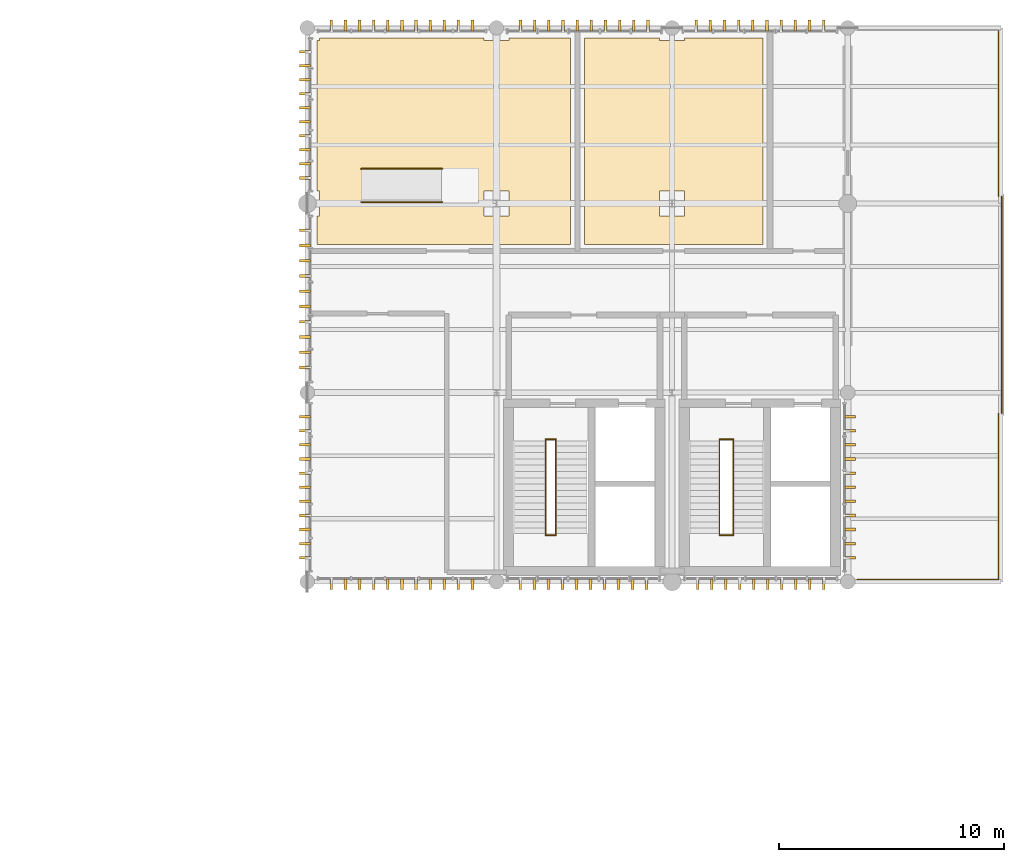
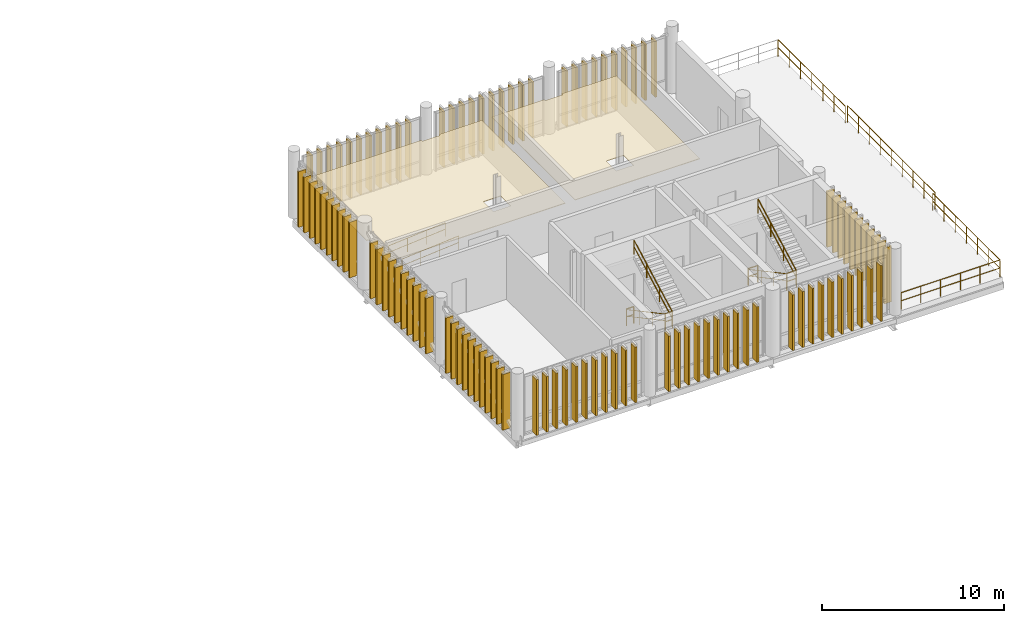
# One storey, part 18 of 19: 106 coverings, 14 railings.
"""IFC4 building model written with IfcOpenShell, lengths in metres."""

from ifc_helpers import new_model, si_unit, direction, frame, frame_2d, origin_with_axes, origin_2d_with_axis, place, context, subcontext, project, spatial, polyline, rectangle, circle, outline, extrude, material, type_object, element, save


model = new_model("IFC4")

# Units and contexts
model_context = context("Model", 3, precision=1e-05, world=origin_with_axes(), true_north=direction((0.0, 1.0)))
body_context = subcontext(model_context, "Body", "Model", "MODEL_VIEW")
ifc_project = project(units=[si_unit("LENGTHUNIT", "METRE"), si_unit("AREAUNIT", "SQUARE_METRE"), si_unit("VOLUMEUNIT", "CUBIC_METRE"), si_unit("PLANEANGLEUNIT", "RADIAN"), si_unit("MASSUNIT", "GRAM", prefix="KILO"), si_unit("THERMODYNAMICTEMPERATUREUNIT", "KELVIN")], contexts=[model_context])

# Site, building, storey
site_placement = place(None, origin_with_axes())
site = spatial("IfcSite", under=ifc_project, at=site_placement, CompositionType="ELEMENT")
building_placement = place(site_placement, origin_with_axes())
building = spatial("IfcBuilding", under=site, at=building_placement, Name="Montbau Bow Law Courts", CompositionType="ELEMENT")
storey_placement = place(building_placement, frame((0.0, 0.0, 43.5), z_axis=(0.0, 0.0, 1.0), x_axis=(1.0, 0.0, 0.0)))
storey = spatial("IfcBuildingStorey", under=building, at=storey_placement, Name="L09", CompositionType="ELEMENT", Elevation=43.5)

# Coverings
ifc_material_1 = material(Name="Micro-Perforated White-Oak Acoustic Courtroom Ceiling", Category="wood")
covering_type_1 = type_object("IfcCoveringType", Name="CV-CLG-01", PredefinedType="CEILING", material=ifc_material_1)
covering_1_placement = place(None, frame((0.0, 0.0, 46.04), z_axis=(0.0, 0.0, 1.0), x_axis=(1.0, 0.0, 0.0)))
element("IfcCovering", 1, at=covering_1_placement, inside=storey, type_object=covering_type_1, Name="CLG-L09-06:cov_3548", PredefinedType="CEILING", context=body_context, shape_type="SweptSolid", body=[
    extrude(outline(polyline([(146.45, 110.56), (146.45, 110.45), (147.55, 110.45), (147.55, 110.56), (150.29, 110.56), (150.29, 101.38), (139.04, 101.38), (139.04, 102.65), (139.15, 102.65), (139.15, 103.75), (139.04, 103.75), (139.04, 110.45), (139.15, 110.45), (139.15, 110.56), (146.45, 110.56)]), holes=[polyline([(147.55, 103.75), (146.45, 103.75), (146.45, 102.65), (147.55, 102.65), (147.55, 103.75)])]), origin_with_axes(), (0.0, 0.0, 1.0), 0.04),
])
ifc_material_2 = material(Name="Mineral-Fibre Acoustic Lay-In Tile Ceiling", Category="gypsum")
covering_type_2 = type_object("IfcCoveringType", Name="CV-CLG-02", PredefinedType="CEILING", material=ifc_material_2)
covering_2_placement = place(None, frame((0.0, 0.0, 46.04), z_axis=(0.0, 0.0, 1.0), x_axis=(1.0, 0.0, 0.0)))
element("IfcCovering", 2, at=covering_2_placement, inside=storey, type_object=covering_type_2, Name="CLG-L09-07:cov_3549", PredefinedType="CEILING", context=body_context, shape_type="SweptSolid", body=[
    extrude(outline(polyline([(154.25, 110.56), (154.25, 110.45), (155.35, 110.45), (155.35, 110.56), (158.83, 110.56), (158.83, 101.38), (150.91, 101.38), (150.91, 110.56), (154.25, 110.56)]), holes=[polyline([(155.35, 103.75), (154.25, 103.75), (154.25, 102.65), (155.35, 102.65), (155.35, 103.75)])]), origin_with_axes(), (0.0, 0.0, 1.0), 0.04),
])
ifc_material_3 = material(Name="Freeze-Thaw Glazed Slate-Grey Ceramic Vertical Louvre", Category="masonry")
covering_type_3 = type_object("IfcCoveringType", Name="CV-LVR-SLT", PredefinedType="CLADDING", material=ifc_material_3)
for number, where, z_axis, x_axis, name in (
    (3, (139.667, 86.53, 43.5), (-1.0, 0.0, 0.0), (0.0, -1.0, 0.0), "CLV-L09-3370:cov_3415"),
    (4, (140.293, 86.53, 43.5), (-1.0, 0.0, 0.0), (0.0, -1.0, 0.0), "CLV-L09-3371:cov_3416"),
    (5, (140.92, 86.53, 43.5), (-1.0, 0.0, 0.0), (0.0, -1.0, 0.0), "CLV-L09-3372:cov_3417"),
    (6, (141.547, 86.53, 43.5), (-1.0, 0.0, 0.0), (0.0, -1.0, 0.0), "CLV-L09-3373:cov_3418"),
    (7, (142.173, 86.53, 43.5), (-1.0, 0.0, 0.0), (0.0, -1.0, 0.0), "CLV-L09-3374:cov_3419"),
    (8, (142.8, 86.53, 43.5), (-1.0, 0.0, 0.0), (0.0, -1.0, 0.0), "CLV-L09-3375:cov_3420"),
    (9, (143.427, 86.53, 43.5), (-1.0, 0.0, 0.0), (0.0, -1.0, 0.0), "CLV-L09-3376:cov_3421"),
    (10, (144.053, 86.53, 43.5), (-1.0, 0.0, 0.0), (0.0, -1.0, 0.0), "CLV-L09-3377:cov_3422"),
    (11, (144.68, 86.53, 43.5), (-1.0, 0.0, 0.0), (0.0, -1.0, 0.0), "CLV-L09-3378:cov_3423"),
    (12, (145.307, 86.53, 43.5), (-1.0, 0.0, 0.0), (0.0, -1.0, 0.0), "CLV-L09-3379:cov_3424"),
    (13, (145.933, 86.53, 43.5), (-1.0, 0.0, 0.0), (0.0, -1.0, 0.0), "CLV-L09-3380:cov_3425"),
    (14, (148.062, 86.53, 43.5), (-1.0, 0.0, 0.0), (0.0, -1.0, 0.0), "CLV-L09-3381:cov_3426"),
    (15, (148.685, 86.53, 43.5), (-1.0, 0.0, 0.0), (0.0, -1.0, 0.0), "CLV-L09-3382:cov_3427"),
    (16, (149.307, 86.53, 43.5), (-1.0, 0.0, 0.0), (0.0, -1.0, 0.0), "CLV-L09-3383:cov_3428"),
    (17, (149.929, 86.53, 43.5), (-1.0, 0.0, 0.0), (0.0, -1.0, 0.0), "CLV-L09-3384:cov_3429"),
    (18, (150.551, 86.53, 43.5), (-1.0, 0.0, 0.0), (0.0, -1.0, 0.0), "CLV-L09-3385:cov_3430"),
    (19, (151.174, 86.53, 43.5), (-1.0, 0.0, 0.0), (0.0, -1.0, 0.0), "CLV-L09-3386:cov_3431"),
    (20, (151.796, 86.53, 43.5), (-1.0, 0.0, 0.0), (0.0, -1.0, 0.0), "CLV-L09-3387:cov_3432"),
    (21, (152.418, 86.53, 43.5), (-1.0, 0.0, 0.0), (0.0, -1.0, 0.0), "CLV-L09-3388:cov_3433"),
    (22, (153.04, 86.53, 43.5), (-1.0, 0.0, 0.0), (0.0, -1.0, 0.0), "CLV-L09-3389:cov_3434"),
    (23, (153.663, 86.53, 43.5), (-1.0, 0.0, 0.0), (0.0, -1.0, 0.0), "CLV-L09-3390:cov_3435"),
    (24, (155.937, 86.53, 43.5), (-1.0, 0.0, 0.0), (0.0, -1.0, 0.0), "CLV-L09-3391:cov_3436"),
    (25, (156.56, 86.53, 43.5), (-1.0, 0.0, 0.0), (0.0, -1.0, 0.0), "CLV-L09-3392:cov_3437"),
    (26, (157.182, 86.53, 43.5), (-1.0, 0.0, 0.0), (0.0, -1.0, 0.0), "CLV-L09-3393:cov_3438"),
    (27, (157.804, 86.53, 43.5), (-1.0, 0.0, 0.0), (0.0, -1.0, 0.0), "CLV-L09-3394:cov_3439"),
    (28, (158.426, 86.53, 43.5), (-1.0, 0.0, 0.0), (0.0, -1.0, 0.0), "CLV-L09-3395:cov_3440"),
    (29, (159.049, 86.53, 43.5), (-1.0, 0.0, 0.0), (0.0, -1.0, 0.0), "CLV-L09-3396:cov_3441"),
    (30, (159.671, 86.53, 43.5), (-1.0, 0.0, 0.0), (0.0, -1.0, 0.0), "CLV-L09-3397:cov_3442"),
    (31, (160.293, 86.53, 43.5), (-1.0, 0.0, 0.0), (0.0, -1.0, 0.0), "CLV-L09-3398:cov_3443"),
    (32, (160.915, 86.53, 43.5), (-1.0, 0.0, 0.0), (0.0, -1.0, 0.0), "CLV-L09-3399:cov_3444"),
    (33, (161.538, 86.53, 43.5), (-1.0, 0.0, 0.0), (0.0, -1.0, 0.0), "CLV-L09-3400:cov_3445"),
    (34, (139.667, 110.87, 43.5), (1.0, 0.0, 0.0), (0.0, 1.0, 0.0), "CLV-L09-3401:cov_3446"),
    (35, (140.293, 110.87, 43.5), (1.0, 0.0, 0.0), (0.0, 1.0, 0.0), "CLV-L09-3402:cov_3447"),
    (36, (140.92, 110.87, 43.5), (1.0, 0.0, 0.0), (0.0, 1.0, 0.0), "CLV-L09-3403:cov_3448"),
    (37, (141.547, 110.87, 43.5), (1.0, 0.0, 0.0), (0.0, 1.0, 0.0), "CLV-L09-3404:cov_3449"),
    (38, (142.173, 110.87, 43.5), (1.0, 0.0, 0.0), (0.0, 1.0, 0.0), "CLV-L09-3405:cov_3450"),
    (39, (142.8, 110.87, 43.5), (1.0, 0.0, 0.0), (0.0, 1.0, 0.0), "CLV-L09-3406:cov_3451"),
    (40, (143.427, 110.87, 43.5), (1.0, 0.0, 0.0), (0.0, 1.0, 0.0), "CLV-L09-3407:cov_3452"),
    (41, (144.053, 110.87, 43.5), (1.0, 0.0, 0.0), (0.0, 1.0, 0.0), "CLV-L09-3408:cov_3453"),
    (42, (144.68, 110.87, 43.5), (1.0, 0.0, 0.0), (0.0, 1.0, 0.0), "CLV-L09-3409:cov_3454"),
    (43, (145.307, 110.87, 43.5), (1.0, 0.0, 0.0), (0.0, 1.0, 0.0), "CLV-L09-3410:cov_3455"),
    (44, (145.933, 110.87, 43.5), (1.0, 0.0, 0.0), (0.0, 1.0, 0.0), "CLV-L09-3411:cov_3456"),
    (45, (148.069, 110.87, 43.5), (1.0, 0.0, 0.0), (0.0, 1.0, 0.0), "CLV-L09-3412:cov_3457"),
    (46, (148.698, 110.87, 43.5), (1.0, 0.0, 0.0), (0.0, 1.0, 0.0), "CLV-L09-3413:cov_3458"),
    (47, (149.327, 110.87, 43.5), (1.0, 0.0, 0.0), (0.0, 1.0, 0.0), "CLV-L09-3414:cov_3459"),
    (48, (149.956, 110.87, 43.5), (1.0, 0.0, 0.0), (0.0, 1.0, 0.0), "CLV-L09-3415:cov_3460"),
    (49, (150.585, 110.87, 43.5), (1.0, 0.0, 0.0), (0.0, 1.0, 0.0), "CLV-L09-3416:cov_3461"),
    (50, (151.215, 110.87, 43.5), (1.0, 0.0, 0.0), (0.0, 1.0, 0.0), "CLV-L09-3417:cov_3462"),
    (51, (151.844, 110.87, 43.5), (1.0, 0.0, 0.0), (0.0, 1.0, 0.0), "CLV-L09-3418:cov_3463"),
    (52, (152.473, 110.87, 43.5), (1.0, 0.0, 0.0), (0.0, 1.0, 0.0), "CLV-L09-3419:cov_3464"),
    (53, (153.102, 110.87, 43.5), (1.0, 0.0, 0.0), (0.0, 1.0, 0.0), "CLV-L09-3420:cov_3465"),
    (54, (153.731, 110.87, 43.5), (1.0, 0.0, 0.0), (0.0, 1.0, 0.0), "CLV-L09-3421:cov_3466"),
    (55, (155.869, 110.87, 43.5), (1.0, 0.0, 0.0), (0.0, 1.0, 0.0), "CLV-L09-3422:cov_3467"),
    (56, (156.498, 110.87, 43.5), (1.0, 0.0, 0.0), (0.0, 1.0, 0.0), "CLV-L09-3423:cov_3468"),
    (57, (157.127, 110.87, 43.5), (1.0, 0.0, 0.0), (0.0, 1.0, 0.0), "CLV-L09-3424:cov_3469"),
    (58, (157.756, 110.87, 43.5), (1.0, 0.0, 0.0), (0.0, 1.0, 0.0), "CLV-L09-3425:cov_3470"),
    (59, (158.385, 110.87, 43.5), (1.0, 0.0, 0.0), (0.0, 1.0, 0.0), "CLV-L09-3426:cov_3471"),
    (60, (159.015, 110.87, 43.5), (1.0, 0.0, 0.0), (0.0, 1.0, 0.0), "CLV-L09-3427:cov_3472"),
    (61, (159.644, 110.87, 43.5), (1.0, 0.0, 0.0), (0.0, 1.0, 0.0), "CLV-L09-3428:cov_3473"),
    (62, (160.273, 110.87, 43.5), (1.0, 0.0, 0.0), (0.0, 1.0, 0.0), "CLV-L09-3429:cov_3474"),
    (63, (160.902, 110.87, 43.5), (1.0, 0.0, 0.0), (0.0, 1.0, 0.0), "CLV-L09-3430:cov_3475"),
    (64, (161.531, 110.87, 43.5), (1.0, 0.0, 0.0), (0.0, 1.0, 0.0), "CLV-L09-3431:cov_3476"),
    (65, (138.73, 87.467, 43.5), (0.0, 1.0, 0.0), (-1.0, 0.0, 0.0), "CLV-L09-3432:cov_3477"),
    (66, (138.73, 88.093, 43.5), (0.0, 1.0, 0.0), (-1.0, 0.0, 0.0), "CLV-L09-3433:cov_3478"),
    (67, (138.73, 88.72, 43.5), (0.0, 1.0, 0.0), (-1.0, 0.0, 0.0), "CLV-L09-3434:cov_3479"),
    (68, (138.73, 89.347, 43.5), (0.0, 1.0, 0.0), (-1.0, 0.0, 0.0), "CLV-L09-3435:cov_3480"),
    (69, (138.73, 89.973, 43.5), (0.0, 1.0, 0.0), (-1.0, 0.0, 0.0), "CLV-L09-3436:cov_3481"),
    (70, (138.73, 90.6, 43.5), (0.0, 1.0, 0.0), (-1.0, 0.0, 0.0), "CLV-L09-3437:cov_3482"),
    (71, (138.73, 91.227, 43.5), (0.0, 1.0, 0.0), (-1.0, 0.0, 0.0), "CLV-L09-3438:cov_3483"),
    (72, (138.73, 91.853, 43.5), (0.0, 1.0, 0.0), (-1.0, 0.0, 0.0), "CLV-L09-3439:cov_3484"),
    (73, (138.73, 92.48, 43.5), (0.0, 1.0, 0.0), (-1.0, 0.0, 0.0), "CLV-L09-3440:cov_3485"),
    (74, (138.73, 93.107, 43.5), (0.0, 1.0, 0.0), (-1.0, 0.0, 0.0), "CLV-L09-3441:cov_3486"),
    (75, (138.73, 93.733, 43.5), (0.0, 1.0, 0.0), (-1.0, 0.0, 0.0), "CLV-L09-3442:cov_3487"),
    (76, (138.73, 95.917, 43.5), (0.0, 1.0, 0.0), (-1.0, 0.0, 0.0), "CLV-L09-3443:cov_3488"),
    (77, (138.73, 96.594, 43.5), (0.0, 1.0, 0.0), (-1.0, 0.0, 0.0), "CLV-L09-3444:cov_3489"),
    (78, (138.73, 97.27, 43.5), (0.0, 1.0, 0.0), (-1.0, 0.0, 0.0), "CLV-L09-3445:cov_3490"),
    (79, (138.73, 97.947, 43.5), (0.0, 1.0, 0.0), (-1.0, 0.0, 0.0), "CLV-L09-3446:cov_3491"),
    (80, (138.73, 98.624, 43.5), (0.0, 1.0, 0.0), (-1.0, 0.0, 0.0), "CLV-L09-3447:cov_3492"),
    (81, (138.73, 99.301, 43.5), (0.0, 1.0, 0.0), (-1.0, 0.0, 0.0), "CLV-L09-3448:cov_3493"),
    (82, (138.73, 99.978, 43.5), (0.0, 1.0, 0.0), (-1.0, 0.0, 0.0), "CLV-L09-3449:cov_3494"),
    (83, (138.73, 100.655, 43.5), (0.0, 1.0, 0.0), (-1.0, 0.0, 0.0), "CLV-L09-3450:cov_3495"),
    (84, (138.73, 101.331, 43.5), (0.0, 1.0, 0.0), (-1.0, 0.0, 0.0), "CLV-L09-3451:cov_3496"),
    (85, (138.73, 102.008, 43.5), (0.0, 1.0, 0.0), (-1.0, 0.0, 0.0), "CLV-L09-3452:cov_3497"),
    (86, (138.73, 104.337, 43.5), (0.0, 1.0, 0.0), (-1.0, 0.0, 0.0), "CLV-L09-3453:cov_3498"),
    (87, (138.73, 104.96, 43.5), (0.0, 1.0, 0.0), (-1.0, 0.0, 0.0), "CLV-L09-3454:cov_3499"),
    (88, (138.73, 105.582, 43.5), (0.0, 1.0, 0.0), (-1.0, 0.0, 0.0), "CLV-L09-3455:cov_3500"),
    (89, (138.73, 106.204, 43.5), (0.0, 1.0, 0.0), (-1.0, 0.0, 0.0), "CLV-L09-3456:cov_3501"),
    (90, (138.73, 106.826, 43.5), (0.0, 1.0, 0.0), (-1.0, 0.0, 0.0), "CLV-L09-3457:cov_3502"),
    (91, (138.73, 107.449, 43.5), (0.0, 1.0, 0.0), (-1.0, 0.0, 0.0), "CLV-L09-3458:cov_3503"),
    (92, (138.73, 108.071, 43.5), (0.0, 1.0, 0.0), (-1.0, 0.0, 0.0), "CLV-L09-3459:cov_3504"),
    (93, (138.73, 108.693, 43.5), (0.0, 1.0, 0.0), (-1.0, 0.0, 0.0), "CLV-L09-3460:cov_3505"),
    (94, (138.73, 109.315, 43.5), (0.0, 1.0, 0.0), (-1.0, 0.0, 0.0), "CLV-L09-3461:cov_3506"),
    (95, (138.73, 109.938, 43.5), (0.0, 1.0, 0.0), (-1.0, 0.0, 0.0), "CLV-L09-3462:cov_3507"),
    (96, (162.47, 87.467, 43.5), (0.0, -1.0, 0.0), (1.0, 0.0, 0.0), "CLV-L09-3463:cov_3508"),
    (97, (162.47, 88.093, 43.5), (0.0, -1.0, 0.0), (1.0, 0.0, 0.0), "CLV-L09-3464:cov_3509"),
    (98, (162.47, 88.72, 43.5), (0.0, -1.0, 0.0), (1.0, 0.0, 0.0), "CLV-L09-3465:cov_3510"),
    (99, (162.47, 89.347, 43.5), (0.0, -1.0, 0.0), (1.0, 0.0, 0.0), "CLV-L09-3466:cov_3511"),
    (100, (162.47, 89.973, 43.5), (0.0, -1.0, 0.0), (1.0, 0.0, 0.0), "CLV-L09-3467:cov_3512"),
    (101, (162.47, 90.6, 43.5), (0.0, -1.0, 0.0), (1.0, 0.0, 0.0), "CLV-L09-3468:cov_3513"),
    (102, (162.47, 91.227, 43.5), (0.0, -1.0, 0.0), (1.0, 0.0, 0.0), "CLV-L09-3469:cov_3514"),
    (103, (162.47, 91.853, 43.5), (0.0, -1.0, 0.0), (1.0, 0.0, 0.0), "CLV-L09-3470:cov_3515"),
    (104, (162.47, 92.48, 43.5), (0.0, -1.0, 0.0), (1.0, 0.0, 0.0), "CLV-L09-3471:cov_3516"),
    (105, (162.47, 93.107, 43.5), (0.0, -1.0, 0.0), (1.0, 0.0, 0.0), "CLV-L09-3472:cov_3517"),
    (106, (162.47, 93.733, 43.5), (0.0, -1.0, 0.0), (1.0, 0.0, 0.0), "CLV-L09-3473:cov_3518"),
):
    element("IfcCovering", number, at=place(None, frame(where, z_axis=z_axis, x_axis=x_axis)), inside=storey, type_object=covering_type_3, Name=name, PredefinedType="CLADDING", context=body_context, shape_type="SweptSolid", body=[
        extrude(rectangle(XDim=0.48, YDim=3.74, at=frame_2d((0.24, 1.87), x_axis=(1.0, 0.0))), frame((0.0, 0.0, -0.06), z_axis=(0.0, 0.0, 1.0), x_axis=(1.0, 0.0, 0.0)), (0.0, 0.0, 1.0), 0.12),
    ])

# Railings
ifc_material_4 = material(Name="Architectural Bronze-Finished Steel Stair Guard", Category="steel")
railing_type_1 = type_object("IfcRailingType", Name="RL-GRD-1100", PredefinedType="GUARDRAIL", material=ifc_material_4)
railing_1_placement = place(None, origin_with_axes())
element("IfcRailing", 107, at=railing_1_placement, inside=storey, type_object=railing_type_1, Name="SG-ST-P2-L09-ML:rlg_0200", PredefinedType="GUARDRAIL", context=body_context, shape_type="SweptSolid", body=[
    extrude(circle(Radius=0.0225, at=origin_2d_with_axis()), frame((149.185, 88.47, 46.852), z_axis=(1.0, 0.0, 0.0), x_axis=(0.0, 0.0, 1.0)), (0.0, 0.0, 1.0), 0.455),
    extrude(circle(Radius=0.02025, at=origin_2d_with_axis()), frame((149.185, 88.47, 46.322), z_axis=(1.0, 0.0, 0.0), x_axis=(0.0, 0.0, 1.0)), (0.0, 0.0, 1.0), 0.455),
    extrude(circle(Radius=0.02025, at=origin_2d_with_axis()), frame((149.185, 88.47, 45.75), z_axis=(0.0, 0.0, 1.0), x_axis=(1.0, 0.0, 0.0)), (0.0, 0.0, 1.0), 1.07525),
    extrude(circle(Radius=0.02025, at=origin_2d_with_axis()), frame((149.64, 88.47, 45.75), z_axis=(0.0, 0.0, 1.0), x_axis=(1.0, 0.0, 0.0)), (0.0, 0.0, 1.0), 1.07525),
])
railing_2_placement = place(None, origin_with_axes())
element("IfcRailing", 108, at=railing_2_placement, inside=storey, type_object=railing_type_1, Name="SG-ST-P2-L09-BL:rlg_0201", PredefinedType="GUARDRAIL", context=body_context, shape_type="SweptSolid", body=[
    extrude(circle(Radius=0.0225, at=origin_2d_with_axis()), frame((149.185, 92.73, 44.602), z_axis=(1.0, 0.0, 0.0), x_axis=(0.0, 0.0, 1.0)), (0.0, 0.0, 1.0), 0.455),
    extrude(circle(Radius=0.02025, at=origin_2d_with_axis()), frame((149.185, 92.73, 44.072), z_axis=(1.0, 0.0, 0.0), x_axis=(0.0, 0.0, 1.0)), (0.0, 0.0, 1.0), 0.455),
    extrude(circle(Radius=0.02025, at=origin_2d_with_axis()), frame((149.185, 92.73, 43.5), z_axis=(0.0, 0.0, 1.0), x_axis=(1.0, 0.0, 0.0)), (0.0, 0.0, 1.0), 1.07525),
    extrude(circle(Radius=0.02025, at=origin_2d_with_axis()), frame((149.64, 92.73, 43.5), z_axis=(0.0, 0.0, 1.0), x_axis=(1.0, 0.0, 0.0)), (0.0, 0.0, 1.0), 1.07525),
])
railing_3_placement = place(None, origin_with_axes())
element("IfcRailing", 109, at=railing_3_placement, inside=storey, type_object=railing_type_1, Name="SG-ST-J2-L09-ML:rlg_0243", PredefinedType="GUARDRAIL", context=body_context, shape_type="SweptSolid", body=[
    extrude(circle(Radius=0.0225, at=origin_2d_with_axis()), frame((156.905, 88.47, 46.852), z_axis=(1.0, 0.0, 0.0), x_axis=(0.0, 0.0, 1.0)), (0.0, 0.0, 1.0), 0.615),
    extrude(circle(Radius=0.02025, at=origin_2d_with_axis()), frame((156.905, 88.47, 46.322), z_axis=(1.0, 0.0, 0.0), x_axis=(0.0, 0.0, 1.0)), (0.0, 0.0, 1.0), 0.615),
    extrude(circle(Radius=0.02025, at=origin_2d_with_axis()), frame((156.905, 88.47, 45.75), z_axis=(0.0, 0.0, 1.0), x_axis=(1.0, 0.0, 0.0)), (0.0, 0.0, 1.0), 1.07525),
    extrude(circle(Radius=0.02025, at=origin_2d_with_axis()), frame((157.52, 88.47, 45.75), z_axis=(0.0, 0.0, 1.0), x_axis=(1.0, 0.0, 0.0)), (0.0, 0.0, 1.0), 1.07525),
])
railing_4_placement = place(None, origin_with_axes())
element("IfcRailing", 110, at=railing_4_placement, inside=storey, type_object=railing_type_1, Name="SG-ST-J2-L09-BL:rlg_0244", PredefinedType="GUARDRAIL", context=body_context, shape_type="SweptSolid", body=[
    extrude(circle(Radius=0.0225, at=origin_2d_with_axis()), frame((156.905, 92.73, 44.602), z_axis=(1.0, 0.0, 0.0), x_axis=(0.0, 0.0, 1.0)), (0.0, 0.0, 1.0), 0.615),
    extrude(circle(Radius=0.02025, at=origin_2d_with_axis()), frame((156.905, 92.73, 44.072), z_axis=(1.0, 0.0, 0.0), x_axis=(0.0, 0.0, 1.0)), (0.0, 0.0, 1.0), 0.615),
    extrude(circle(Radius=0.02025, at=origin_2d_with_axis()), frame((156.905, 92.73, 43.5), z_axis=(0.0, 0.0, 1.0), x_axis=(1.0, 0.0, 0.0)), (0.0, 0.0, 1.0), 1.07525),
    extrude(circle(Radius=0.02025, at=origin_2d_with_axis()), frame((157.52, 92.73, 43.5), z_axis=(0.0, 0.0, 1.0), x_axis=(1.0, 0.0, 0.0)), (0.0, 0.0, 1.0), 1.07525),
])
ifc_material_5 = material(Name="Brushed Stainless Steel AISI 316L Guardrail", Category="steel")
railing_type_2 = type_object("IfcRailingType", Name="RL-GRD-1120", PredefinedType="GUARDRAIL", material=ifc_material_5)
railing_5_placement = place(None, origin_with_axes())
element("IfcRailing", 111, at=railing_5_placement, inside=storey, type_object=railing_type_2, Name="GRD-TER-L09-V5-3:rlg_0029", PredefinedType="GUARDRAIL", context=body_context, shape_type="SweptSolid", body=[
    extrude(circle(Radius=0.025, at=origin_2d_with_axis()), frame((169.3, 110.9, 44.622), z_axis=(0.0, -1.0, 0.0), x_axis=(0.0, 0.0, 1.0)), (0.0, 0.0, 1.0), 7.38),
    extrude(circle(Radius=0.022500000000000003, at=origin_2d_with_axis()), frame((169.3, 110.9, 44.0824), z_axis=(0.0, -1.0, 0.0), x_axis=(0.0, 0.0, 1.0)), (0.0, 0.0, 1.0), 7.38),
    extrude(circle(Radius=0.022500000000000003, at=origin_2d_with_axis()), frame((169.3, 110.9, 43.5), z_axis=(0.0, 0.0, 1.0), x_axis=(1.0, 0.0, 0.0)), (0.0, 0.0, 1.0), 1.0925),
    extrude(circle(Radius=0.022500000000000003, at=origin_2d_with_axis()), frame((169.3, 109.67, 43.5), z_axis=(0.0, 0.0, 1.0), x_axis=(1.0, 0.0, 0.0)), (0.0, 0.0, 1.0), 1.0925),
    extrude(circle(Radius=0.022500000000000003, at=origin_2d_with_axis()), frame((169.3, 108.44, 43.5), z_axis=(0.0, 0.0, 1.0), x_axis=(1.0, 0.0, 0.0)), (0.0, 0.0, 1.0), 1.0925),
    extrude(circle(Radius=0.022500000000000003, at=origin_2d_with_axis()), frame((169.3, 107.21, 43.5), z_axis=(0.0, 0.0, 1.0), x_axis=(1.0, 0.0, 0.0)), (0.0, 0.0, 1.0), 1.0925),
    extrude(circle(Radius=0.022500000000000003, at=origin_2d_with_axis()), frame((169.3, 105.98, 43.5), z_axis=(0.0, 0.0, 1.0), x_axis=(1.0, 0.0, 0.0)), (0.0, 0.0, 1.0), 1.0925),
    extrude(circle(Radius=0.022500000000000003, at=origin_2d_with_axis()), frame((169.3, 104.75, 43.5), z_axis=(0.0, 0.0, 1.0), x_axis=(1.0, 0.0, 0.0)), (0.0, 0.0, 1.0), 1.0925),
    extrude(circle(Radius=0.022500000000000003, at=origin_2d_with_axis()), frame((169.3, 103.52, 43.5), z_axis=(0.0, 0.0, 1.0), x_axis=(1.0, 0.0, 0.0)), (0.0, 0.0, 1.0), 1.0925),
])
railing_6_placement = place(None, origin_with_axes())
element("IfcRailing", 112, at=railing_6_placement, inside=storey, type_object=railing_type_2, Name="GRD-TER-L09-V5-5:rlg_0030", PredefinedType="GUARDRAIL", context=body_context, shape_type="SweptSolid", body=[
    extrude(circle(Radius=0.025, at=origin_2d_with_axis()), frame((169.44, 103.52, 44.622), z_axis=(0.0, -1.0, 0.0), x_axis=(0.0, 0.0, 1.0)), (0.0, 0.0, 1.0), 9.64),
    extrude(circle(Radius=0.022500000000000003, at=origin_2d_with_axis()), frame((169.44, 103.52, 44.0824), z_axis=(0.0, -1.0, 0.0), x_axis=(0.0, 0.0, 1.0)), (0.0, 0.0, 1.0), 9.64),
    extrude(circle(Radius=0.022500000000000003, at=origin_2d_with_axis()), frame((169.44, 103.52, 43.5), z_axis=(0.0, 0.0, 1.0), x_axis=(1.0, 0.0, 0.0)), (0.0, 0.0, 1.0), 1.0925),
    extrude(circle(Radius=0.022500000000000003, at=origin_2d_with_axis()), frame((169.44, 102.315, 43.5), z_axis=(0.0, 0.0, 1.0), x_axis=(1.0, 0.0, 0.0)), (0.0, 0.0, 1.0), 1.0925),
    extrude(circle(Radius=0.022500000000000003, at=origin_2d_with_axis()), frame((169.44, 101.11, 43.5), z_axis=(0.0, 0.0, 1.0), x_axis=(1.0, 0.0, 0.0)), (0.0, 0.0, 1.0), 1.0925),
    extrude(circle(Radius=0.022500000000000003, at=origin_2d_with_axis()), frame((169.44, 99.905, 43.5), z_axis=(0.0, 0.0, 1.0), x_axis=(1.0, 0.0, 0.0)), (0.0, 0.0, 1.0), 1.0925),
    extrude(circle(Radius=0.022500000000000003, at=origin_2d_with_axis()), frame((169.44, 98.7, 43.5), z_axis=(0.0, 0.0, 1.0), x_axis=(1.0, 0.0, 0.0)), (0.0, 0.0, 1.0), 1.0925),
    extrude(circle(Radius=0.022500000000000003, at=origin_2d_with_axis()), frame((169.44, 97.495, 43.5), z_axis=(0.0, 0.0, 1.0), x_axis=(1.0, 0.0, 0.0)), (0.0, 0.0, 1.0), 1.0925),
    extrude(circle(Radius=0.022500000000000003, at=origin_2d_with_axis()), frame((169.44, 96.29, 43.5), z_axis=(0.0, 0.0, 1.0), x_axis=(1.0, 0.0, 0.0)), (0.0, 0.0, 1.0), 1.0925),
    extrude(circle(Radius=0.022500000000000003, at=origin_2d_with_axis()), frame((169.44, 95.085, 43.5), z_axis=(0.0, 0.0, 1.0), x_axis=(1.0, 0.0, 0.0)), (0.0, 0.0, 1.0), 1.0925),
    extrude(circle(Radius=0.022500000000000003, at=origin_2d_with_axis()), frame((169.44, 93.88, 43.5), z_axis=(0.0, 0.0, 1.0), x_axis=(1.0, 0.0, 0.0)), (0.0, 0.0, 1.0), 1.0925),
])
railing_7_placement = place(None, origin_with_axes())
element("IfcRailing", 113, at=railing_7_placement, inside=storey, type_object=railing_type_2, Name="GRD-TER-L09-V5-7:rlg_0031", PredefinedType="GUARDRAIL", context=body_context, shape_type="SweptSolid", body=[
    extrude(circle(Radius=0.025, at=origin_2d_with_axis()), frame((169.3, 93.88, 44.622), z_axis=(0.0, -1.0, 0.0), x_axis=(0.0, 0.0, 1.0)), (0.0, 0.0, 1.0), 7.38),
    extrude(circle(Radius=0.022500000000000003, at=origin_2d_with_axis()), frame((169.3, 93.88, 44.0824), z_axis=(0.0, -1.0, 0.0), x_axis=(0.0, 0.0, 1.0)), (0.0, 0.0, 1.0), 7.38),
    extrude(circle(Radius=0.022500000000000003, at=origin_2d_with_axis()), frame((169.3, 93.88, 43.5), z_axis=(0.0, 0.0, 1.0), x_axis=(1.0, 0.0, 0.0)), (0.0, 0.0, 1.0), 1.0925),
    extrude(circle(Radius=0.022500000000000003, at=origin_2d_with_axis()), frame((169.3, 92.65, 43.5), z_axis=(0.0, 0.0, 1.0), x_axis=(1.0, 0.0, 0.0)), (0.0, 0.0, 1.0), 1.0925),
    extrude(circle(Radius=0.022500000000000003, at=origin_2d_with_axis()), frame((169.3, 91.42, 43.5), z_axis=(0.0, 0.0, 1.0), x_axis=(1.0, 0.0, 0.0)), (0.0, 0.0, 1.0), 1.0925),
    extrude(circle(Radius=0.022500000000000003, at=origin_2d_with_axis()), frame((169.3, 90.19, 43.5), z_axis=(0.0, 0.0, 1.0), x_axis=(1.0, 0.0, 0.0)), (0.0, 0.0, 1.0), 1.0925),
    extrude(circle(Radius=0.022500000000000003, at=origin_2d_with_axis()), frame((169.3, 88.96, 43.5), z_axis=(0.0, 0.0, 1.0), x_axis=(1.0, 0.0, 0.0)), (0.0, 0.0, 1.0), 1.0925),
    extrude(circle(Radius=0.022500000000000003, at=origin_2d_with_axis()), frame((169.3, 87.73, 43.5), z_axis=(0.0, 0.0, 1.0), x_axis=(1.0, 0.0, 0.0)), (0.0, 0.0, 1.0), 1.0925),
    extrude(circle(Radius=0.022500000000000003, at=origin_2d_with_axis()), frame((169.3, 86.5, 43.5), z_axis=(0.0, 0.0, 1.0), x_axis=(1.0, 0.0, 0.0)), (0.0, 0.0, 1.0), 1.0925),
])
railing_8_placement = place(None, origin_with_axes())
element("IfcRailing", 114, at=railing_8_placement, inside=storey, type_object=railing_type_2, Name="GRD-TER-L09-V5-8:rlg_0032", PredefinedType="GUARDRAIL", context=body_context, shape_type="SweptSolid", body=[
    extrude(circle(Radius=0.025, at=origin_2d_with_axis()), frame((169.3, 86.5, 44.622), z_axis=(-1.0, 0.0, 0.0), x_axis=(0.0, 0.0, 1.0)), (0.0, 0.0, 1.0), 6.28),
    extrude(circle(Radius=0.022500000000000003, at=origin_2d_with_axis()), frame((169.3, 86.5, 44.0824), z_axis=(-1.0, 0.0, 0.0), x_axis=(0.0, 0.0, 1.0)), (0.0, 0.0, 1.0), 6.28),
    extrude(circle(Radius=0.022500000000000003, at=origin_2d_with_axis()), frame((169.3, 86.5, 43.5), z_axis=(0.0, 0.0, 1.0), x_axis=(1.0, 0.0, 0.0)), (0.0, 0.0, 1.0), 1.0925),
    extrude(circle(Radius=0.022500000000000003, at=origin_2d_with_axis()), frame((168.044, 86.5, 43.5), z_axis=(0.0, 0.0, 1.0), x_axis=(1.0, 0.0, 0.0)), (0.0, 0.0, 1.0), 1.0925),
    extrude(circle(Radius=0.022500000000000003, at=origin_2d_with_axis()), frame((166.788, 86.5, 43.5), z_axis=(0.0, 0.0, 1.0), x_axis=(1.0, 0.0, 0.0)), (0.0, 0.0, 1.0), 1.0925),
    extrude(circle(Radius=0.022500000000000003, at=origin_2d_with_axis()), frame((165.532, 86.5, 43.5), z_axis=(0.0, 0.0, 1.0), x_axis=(1.0, 0.0, 0.0)), (0.0, 0.0, 1.0), 1.0925),
    extrude(circle(Radius=0.022500000000000003, at=origin_2d_with_axis()), frame((164.276, 86.5, 43.5), z_axis=(0.0, 0.0, 1.0), x_axis=(1.0, 0.0, 0.0)), (0.0, 0.0, 1.0), 1.0925),
    extrude(circle(Radius=0.022500000000000003, at=origin_2d_with_axis()), frame((163.02, 86.5, 43.5), z_axis=(0.0, 0.0, 1.0), x_axis=(1.0, 0.0, 0.0)), (0.0, 0.0, 1.0), 1.0925),
])
ifc_material_6 = material(Name="White-Oak and Stainless Continuous Stair Handrail", Category="steel")
railing_type_3 = type_object("IfcRailingType", Name="RL-HND-0920", PredefinedType="HANDRAIL", material=ifc_material_6)
railing_9_placement = place(None, origin_with_axes())
element("IfcRailing", 115, at=railing_9_placement, inside=storey, type_object=railing_type_3, Name="HR-ST-P2-L09-1:rlg_0202", PredefinedType="HANDRAIL", context=body_context, shape_type="SweptSolid", body=[
    extrude(circle(Radius=0.021, at=origin_2d_with_axis()), frame((149.185, 92.7, 44.572), z_axis=(0.0, -0.88147997, 0.472221413), x_axis=(0.0, 0.472221413, 0.88147997)), (0.0, 0.0, 1.0), 4.764714),
    extrude(circle(Radius=0.0189, at=origin_2d_with_axis()), frame((149.185, 92.7, 44.1284), z_axis=(0.0, -0.88147997, 0.472221413), x_axis=(0.0, 0.472221413, 0.88147997)), (0.0, 0.0, 1.0), 4.764714),
    extrude(circle(Radius=0.0189, at=origin_2d_with_axis()), frame((149.185, 92.7, 43.65), z_axis=(0.0, 0.0, 1.0), x_axis=(1.0, 0.0, 0.0)), (0.0, 0.0, 1.0), 0.8969),
    extrude(circle(Radius=0.0189, at=origin_2d_with_axis()), frame((149.185, 91.3, 44.4), z_axis=(0.0, 0.0, 1.0), x_axis=(1.0, 0.0, 0.0)), (0.0, 0.0, 1.0), 0.8969),
    extrude(circle(Radius=0.0189, at=origin_2d_with_axis()), frame((149.185, 89.9, 45.15), z_axis=(0.0, 0.0, 1.0), x_axis=(1.0, 0.0, 0.0)), (0.0, 0.0, 1.0), 0.8969),
    extrude(circle(Radius=0.0189, at=origin_2d_with_axis()), frame((149.185, 88.5, 45.9), z_axis=(0.0, 0.0, 1.0), x_axis=(1.0, 0.0, 0.0)), (0.0, 0.0, 1.0), 0.8969),
])
railing_10_placement = place(None, origin_with_axes())
element("IfcRailing", 116, at=railing_10_placement, inside=storey, type_object=railing_type_3, Name="HR-ST-P2-L09-2:rlg_0203", PredefinedType="HANDRAIL", context=body_context, shape_type="SweptSolid", body=[
    extrude(circle(Radius=0.021, at=origin_2d_with_axis()), frame((149.64, 88.5, 46.822), z_axis=(0.0, 0.88147997, 0.472221413), x_axis=(0.0, -0.472221413, 0.88147997)), (0.0, 0.0, 1.0), 4.764714),
    extrude(circle(Radius=0.0189, at=origin_2d_with_axis()), frame((149.64, 88.5, 46.3784), z_axis=(0.0, 0.88147997, 0.472221413), x_axis=(0.0, -0.472221413, 0.88147997)), (0.0, 0.0, 1.0), 4.764714),
    extrude(circle(Radius=0.0189, at=origin_2d_with_axis()), frame((149.64, 88.5, 45.9), z_axis=(0.0, 0.0, 1.0), x_axis=(1.0, 0.0, 0.0)), (0.0, 0.0, 1.0), 0.8969),
    extrude(circle(Radius=0.0189, at=origin_2d_with_axis()), frame((149.64, 89.9, 46.65), z_axis=(0.0, 0.0, 1.0), x_axis=(1.0, 0.0, 0.0)), (0.0, 0.0, 1.0), 0.8969),
    extrude(circle(Radius=0.0189, at=origin_2d_with_axis()), frame((149.64, 91.3, 47.4), z_axis=(0.0, 0.0, 1.0), x_axis=(1.0, 0.0, 0.0)), (0.0, 0.0, 1.0), 0.8969),
    extrude(circle(Radius=0.0189, at=origin_2d_with_axis()), frame((149.64, 92.7, 48.15), z_axis=(0.0, 0.0, 1.0), x_axis=(1.0, 0.0, 0.0)), (0.0, 0.0, 1.0), 0.8969),
])
railing_11_placement = place(None, origin_with_axes())
element("IfcRailing", 117, at=railing_11_placement, inside=storey, type_object=railing_type_3, Name="HR-ST-J2-L09-1:rlg_0245", PredefinedType="HANDRAIL", context=body_context, shape_type="SweptSolid", body=[
    extrude(circle(Radius=0.021, at=origin_2d_with_axis()), frame((156.905, 92.7, 44.572), z_axis=(0.0, -0.88147997, 0.472221413), x_axis=(0.0, 0.472221413, 0.88147997)), (0.0, 0.0, 1.0), 4.764714),
    extrude(circle(Radius=0.0189, at=origin_2d_with_axis()), frame((156.905, 92.7, 44.1284), z_axis=(0.0, -0.88147997, 0.472221413), x_axis=(0.0, 0.472221413, 0.88147997)), (0.0, 0.0, 1.0), 4.764714),
    extrude(circle(Radius=0.0189, at=origin_2d_with_axis()), frame((156.905, 92.7, 43.65), z_axis=(0.0, 0.0, 1.0), x_axis=(1.0, 0.0, 0.0)), (0.0, 0.0, 1.0), 0.8969),
    extrude(circle(Radius=0.0189, at=origin_2d_with_axis()), frame((156.905, 91.3, 44.4), z_axis=(0.0, 0.0, 1.0), x_axis=(1.0, 0.0, 0.0)), (0.0, 0.0, 1.0), 0.8969),
    extrude(circle(Radius=0.0189, at=origin_2d_with_axis()), frame((156.905, 89.9, 45.15), z_axis=(0.0, 0.0, 1.0), x_axis=(1.0, 0.0, 0.0)), (0.0, 0.0, 1.0), 0.8969),
    extrude(circle(Radius=0.0189, at=origin_2d_with_axis()), frame((156.905, 88.5, 45.9), z_axis=(0.0, 0.0, 1.0), x_axis=(1.0, 0.0, 0.0)), (0.0, 0.0, 1.0), 0.8969),
])
railing_12_placement = place(None, origin_with_axes())
element("IfcRailing", 118, at=railing_12_placement, inside=storey, type_object=railing_type_3, Name="HR-ST-J2-L09-2:rlg_0246", PredefinedType="HANDRAIL", context=body_context, shape_type="SweptSolid", body=[
    extrude(circle(Radius=0.021, at=origin_2d_with_axis()), frame((157.52, 88.5, 46.822), z_axis=(0.0, 0.88147997, 0.472221413), x_axis=(0.0, -0.472221413, 0.88147997)), (0.0, 0.0, 1.0), 4.764714),
    extrude(circle(Radius=0.0189, at=origin_2d_with_axis()), frame((157.52, 88.5, 46.3784), z_axis=(0.0, 0.88147997, 0.472221413), x_axis=(0.0, -0.472221413, 0.88147997)), (0.0, 0.0, 1.0), 4.764714),
    extrude(circle(Radius=0.0189, at=origin_2d_with_axis()), frame((157.52, 88.5, 45.9), z_axis=(0.0, 0.0, 1.0), x_axis=(1.0, 0.0, 0.0)), (0.0, 0.0, 1.0), 0.8969),
    extrude(circle(Radius=0.0189, at=origin_2d_with_axis()), frame((157.52, 89.9, 46.65), z_axis=(0.0, 0.0, 1.0), x_axis=(1.0, 0.0, 0.0)), (0.0, 0.0, 1.0), 0.8969),
    extrude(circle(Radius=0.0189, at=origin_2d_with_axis()), frame((157.52, 91.3, 47.4), z_axis=(0.0, 0.0, 1.0), x_axis=(1.0, 0.0, 0.0)), (0.0, 0.0, 1.0), 0.8969),
    extrude(circle(Radius=0.0189, at=origin_2d_with_axis()), frame((157.52, 92.7, 48.15), z_axis=(0.0, 0.0, 1.0), x_axis=(1.0, 0.0, 0.0)), (0.0, 0.0, 1.0), 0.8969),
])
railing_13_placement = place(None, origin_with_axes())
element("IfcRailing", 119, at=railing_13_placement, inside=storey, type_object=railing_type_3, Name="HR-R-BF5-L:rlg_0307", PredefinedType="HANDRAIL", context=body_context, shape_type="SweptSolid", body=[
    extrude(circle(Radius=0.021, at=origin_2d_with_axis()), frame((141.0, 103.265, 44.422), z_axis=(0.996545758, 0.0, 0.08304548), x_axis=(-0.08304548, 0.0, 0.996545758)), (0.0, 0.0, 1.0), 3.612478),
    extrude(circle(Radius=0.0189, at=origin_2d_with_axis()), frame((141.0, 103.265, 43.9784), z_axis=(0.996545758, 0.0, 0.08304548), x_axis=(-0.08304548, 0.0, 0.996545758)), (0.0, 0.0, 1.0), 3.612478),
    extrude(circle(Radius=0.0189, at=origin_2d_with_axis()), frame((141.0, 103.265, 43.5), z_axis=(0.0, 0.0, 1.0), x_axis=(1.0, 0.0, 0.0)), (0.0, 0.0, 1.0), 0.8969),
    extrude(circle(Radius=0.0189, at=origin_2d_with_axis()), frame((142.2, 103.265, 43.6), z_axis=(0.0, 0.0, 1.0), x_axis=(1.0, 0.0, 0.0)), (0.0, 0.0, 1.0), 0.8969),
    extrude(circle(Radius=0.0189, at=origin_2d_with_axis()), frame((143.4, 103.265, 43.7), z_axis=(0.0, 0.0, 1.0), x_axis=(1.0, 0.0, 0.0)), (0.0, 0.0, 1.0), 0.8969),
    extrude(circle(Radius=0.0189, at=origin_2d_with_axis()), frame((144.6, 103.265, 43.8), z_axis=(0.0, 0.0, 1.0), x_axis=(1.0, 0.0, 0.0)), (0.0, 0.0, 1.0), 0.8969),
])
railing_14_placement = place(None, origin_with_axes())
element("IfcRailing", 120, at=railing_14_placement, inside=storey, type_object=railing_type_3, Name="HR-R-BF5-R:rlg_0308", PredefinedType="HANDRAIL", context=body_context, shape_type="SweptSolid", body=[
    extrude(circle(Radius=0.021, at=origin_2d_with_axis()), frame((141.0, 104.735, 44.422), z_axis=(0.996545758, 0.0, 0.08304548), x_axis=(-0.08304548, 0.0, 0.996545758)), (0.0, 0.0, 1.0), 3.612478),
    extrude(circle(Radius=0.0189, at=origin_2d_with_axis()), frame((141.0, 104.735, 43.9784), z_axis=(0.996545758, 0.0, 0.08304548), x_axis=(-0.08304548, 0.0, 0.996545758)), (0.0, 0.0, 1.0), 3.612478),
    extrude(circle(Radius=0.0189, at=origin_2d_with_axis()), frame((141.0, 104.735, 43.5), z_axis=(0.0, 0.0, 1.0), x_axis=(1.0, 0.0, 0.0)), (0.0, 0.0, 1.0), 0.8969),
    extrude(circle(Radius=0.0189, at=origin_2d_with_axis()), frame((142.2, 104.735, 43.6), z_axis=(0.0, 0.0, 1.0), x_axis=(1.0, 0.0, 0.0)), (0.0, 0.0, 1.0), 0.8969),
    extrude(circle(Radius=0.0189, at=origin_2d_with_axis()), frame((143.4, 104.735, 43.7), z_axis=(0.0, 0.0, 1.0), x_axis=(1.0, 0.0, 0.0)), (0.0, 0.0, 1.0), 0.8969),
    extrude(circle(Radius=0.0189, at=origin_2d_with_axis()), frame((144.6, 104.735, 43.8), z_axis=(0.0, 0.0, 1.0), x_axis=(1.0, 0.0, 0.0)), (0.0, 0.0, 1.0), 0.8969),
])

save(model, "model.ifc")
